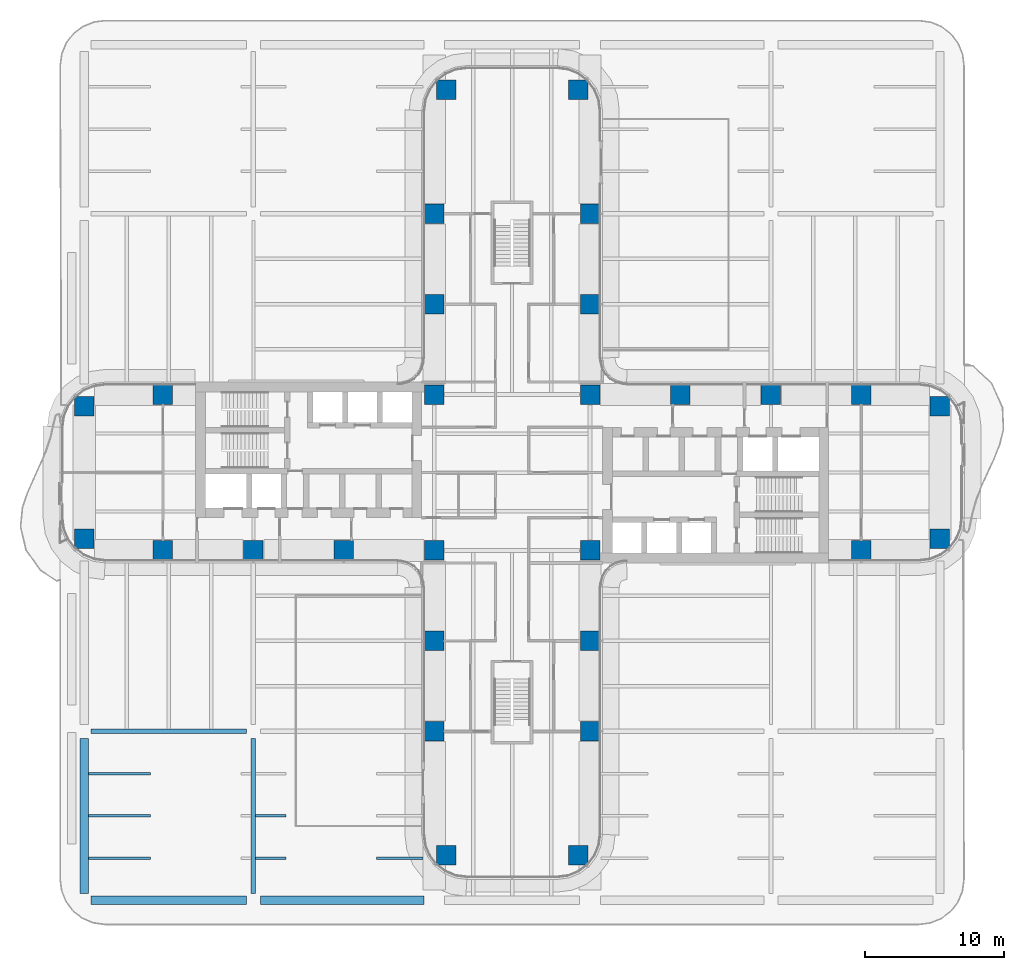
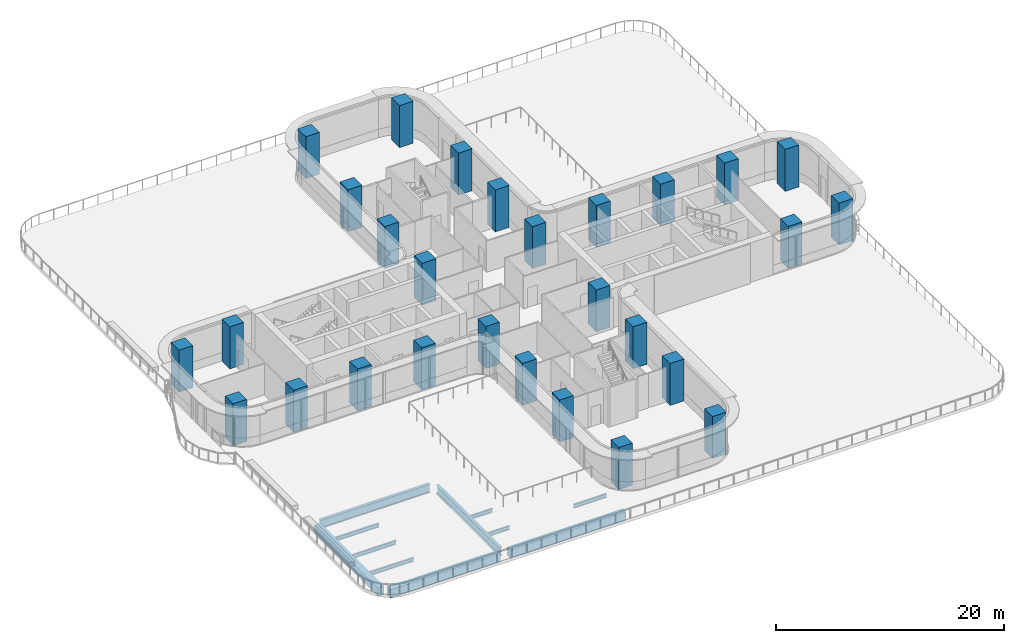
# One storey, part 1 of 29: 28 columns, 11 beams.
"""IFC4 building model written with IfcOpenShell, lengths in metres."""

from ifc_helpers import new_model, si_unit, direction, frame, origin, origin_2d, place, context, subcontext, project, spatial, rectangle, i_section, extrude, source, transform, mapped, material, material_profile, profile_set, type_object, element, save


model = new_model("IFC4")

# Units and contexts
model_context = context("Model", 3, precision=1e-05, world=origin(), true_north=direction((0.0, 1.0)))
body_context = subcontext(model_context, "Body", "Model", "MODEL_VIEW")
ifc_project = project(units=[si_unit("LENGTHUNIT", "METRE"), si_unit("AREAUNIT", "SQUARE_METRE"), si_unit("VOLUMEUNIT", "CUBIC_METRE"), si_unit("PLANEANGLEUNIT", "RADIAN"), si_unit("MASSUNIT", "GRAM", prefix="KILO")], contexts=[model_context])

# Site, building, storey
site_placement = place(None, origin())
site = spatial("IfcSite", under=ifc_project, at=site_placement, CompositionType="ELEMENT")
building_placement = place(site_placement, origin())
building = spatial("IfcBuilding", under=site, at=building_placement, Name="Trellis Farm Tower", CompositionType="ELEMENT")
storey_placement = place(building_placement, frame((0.0, 0.0, 34.0)))
storey = spatial("IfcBuildingStorey", under=building, at=storey_placement, Name="L06", CompositionType="ELEMENT", Elevation=34.0)

# Columns
ifc_material_1 = material(Name="Concrete C80/95", Category="concrete")
ifc_material_profile_1 = material_profile(ifc_material_1, rectangle(XDim=1.39990234375, YDim=1.39990234375, at=origin_2d()), Name="RC column 1400x1400 C80/95")
ifc_profile_set_1 = profile_set([ifc_material_profile_1], Name="Concrete C80/95")
column_type = type_object("IfcColumnType", Name="RC column 1400x1400 C80/95", PredefinedType="COLUMN", material=ifc_profile_set_1)
shared_shape_1 = source(origin(), body_context, "Body", "SweptSolid", [
    extrude(rectangle(XDim=1.39990234375, YDim=1.39990234375, at=origin_2d()), origin(), (0.0, 0.0, 1.0), 4.5),
])
for number, where, z_axis, x_axis, name in (
    (1, (12.10009765625, 5.60009765625, 0.0), (0.0, 0.0, 1.0), (1.0, 0.0, 0.0), "Column"),
    (2, (18.60009765625, 5.60009765625, 0.0), (0.0, 0.0, 1.0), (1.0, 0.0, 0.0), "Column"),
    (3, (25.10009765625, 5.60009765625, 0.0), (0.0, 0.0, 1.0), (1.0, 0.0, 0.0), "Column"),
    (4, (30.75, 4.75, 0.0), (0.0, 0.0, 1.0), (1.0, 0.0, 0.0), "Column"),
    (5, (25.10009765625, -5.60009765625, 0.0), (0.0, 0.0, 1.0), (1.0, 0.0, 0.0), "Column"),
    (6, (30.75, -4.75, 0.0), (0.0, 0.0, 1.0), (1.0, 0.0, 0.0), "Column"),
    (7, (-5.60009765625, 12.10009765625, 0.0), (0.0, 0.0, 1.0), (1.0, 0.0, 0.0), "Column"),
    (8, (-5.60009765625, 18.60009765625, 0.0), (0.0, 0.0, 1.0), (1.0, 0.0, 0.0), "Column"),
    (9, (-4.75, 27.5, 0.0), (0.0, 0.0, 1.0), (1.0, 0.0, 0.0), "Column"),
    (10, (5.60009765625, 12.10009765625, 0.0), (0.0, 0.0, 1.0), (1.0, 0.0, 0.0), "Column"),
    (11, (5.60009765625, 18.60009765625, 0.0), (0.0, 0.0, 1.0), (1.0, 0.0, 0.0), "Column"),
    (12, (4.75, 27.5, 0.0), (0.0, 0.0, 1.0), (1.0, 0.0, 0.0), "Column"),
    (13, (5.60009765625, 5.60009765625, 0.0), (0.0, 0.0, 1.0), (1.0, 0.0, 0.0), "Column"),
    (14, (-5.60009765625, 5.60009765625, 0.0), (0.0, 0.0, 1.0), (1.0, 0.0, 0.0), "Column"),
    (15, (5.60009765625, -5.60009765625, 0.0), (0.0, 0.0, 1.0), (1.0, 0.0, 0.0), "Column"),
    (16, (-5.60009765625, -5.60009765625, 0.0), (0.0, 0.0, 1.0), (1.0, 0.0, 0.0), "Column"),
    (17, (5.60009765625, -12.10009765625, 0.0), (0.0, 0.0, 1.0), (1.0, 0.0, 0.0), "Column"),
    (18, (5.60009765625, -18.60009765625, 0.0), (0.0, 0.0, 1.0), (1.0, 0.0, 0.0), "Column"),
    (19, (4.75, -27.5, 0.0), (0.0, 0.0, 1.0), (1.0, 0.0, 0.0), "Column"),
    (20, (-5.60009765625, -12.10009765625, 0.0), (0.0, 0.0, 1.0), (1.0, 0.0, 0.0), "Column"),
    (21, (-5.60009765625, -18.60009765625, 0.0), (0.0, 0.0, 1.0), (1.0, 0.0, 0.0), "Column"),
    (22, (-4.75, -27.5, 0.0), (0.0, 0.0, 1.0), (1.0, 0.0, 0.0), "Column"),
    (23, (-12.10009765625, -5.60009765625, 0.0), (0.0, 0.0, 1.0), (1.0, 0.0, 0.0), "Column"),
    (24, (-18.60009765625, -5.60009765625, 0.0), (0.0, 0.0, 1.0), (1.0, 0.0, 0.0), "Column"),
    (25, (-25.10009765625, -5.60009765625, 0.0), (0.0, 0.0, 1.0), (1.0, 0.0, 0.0), "Column"),
    (26, (-30.75, -4.75, 0.0), (0.0, 0.0, 1.0), (1.0, 0.0, 0.0), "Column"),
    (27, (-25.10009765625, 5.60009765625, 0.0), (0.0, 0.0, 1.0), (1.0, 0.0, 0.0), "Column"),
    (28, (-30.75, 4.75, 0.0), (0.0, 0.0, 1.0), (1.0, 0.0, 0.0), "Column"),
):
    element("IfcColumn", number, at=place(storey_placement, frame(where, z_axis=z_axis, x_axis=x_axis)), inside=storey, type_object=column_type, Name=name, PredefinedType="COLUMN", context=body_context, shape_type="MappedRepresentation", body=[
        mapped(shared_shape_1, transform((0.0, 0.0, 0.0))),
    ])

# Beams
ifc_material_2 = material(Name="Steel S355", Category="steel")
ifc_material_profile_2 = material_profile(ifc_material_2, i_section(OverallWidth=0.177978515625, OverallDepth=0.406494140625, WebThickness=0.0078125, FlangeThickness=0.0126953125, FilletRadius=0.01025390625, at=origin_2d()), Name="UB 406x178x60")
ifc_profile_set_2 = profile_set([ifc_material_profile_2], Name="Steel S355")
beam_type_1 = type_object("IfcBeamType", Name="UB 406x178x60 joist", PredefinedType="JOIST", material=ifc_profile_set_2)
shared_shape_2 = source(origin(), body_context, "Body", "SweptSolid", [
    extrude(i_section(OverallWidth=0.177978515625, OverallDepth=0.406494140625, WebThickness=0.0078125, FlangeThickness=0.0126953125, FilletRadius=0.01025390625, at=origin_2d()), origin(), (0.0, 0.0, 1.0), 2.197265625),
])
for number, where, z_axis, x_axis, name in (
    (29, (-18.447265625, -27.71240234375, -0.55322265625), (1.0, 0.0, 0.0), (0.0, 1.0, 0.0), "Floor beam"),
    (30, (-18.447265625, -24.675048828125, -0.55322265625), (1.0, 0.0, 0.0), (0.0, 1.0, 0.0), "Floor beam"),
):
    element("IfcBeam", number, at=place(storey_placement, frame(where, z_axis=z_axis, x_axis=x_axis)), inside=storey, type_object=beam_type_1, Name=name, PredefinedType="JOIST", context=body_context, shape_type="MappedRepresentation", body=[
        mapped(shared_shape_2, transform((0.0, 0.0, 0.0))),
    ])
ifc_material_profile_3 = material_profile(ifc_material_2, i_section(OverallWidth=0.305419921875, OverallDepth=0.91845703125, WebThickness=0.017333984375, FlangeThickness=0.02783203125, FilletRadius=0.01904296875, at=origin_2d()), Name="UB 914x305x253")
ifc_profile_set_3 = profile_set([ifc_material_profile_3], Name="Steel S355")
beam_type_2 = type_object("IfcBeamType", Name="UB 914x305x253", PredefinedType="BEAM", material=ifc_profile_set_3)
shared_shape_3 = source(origin(), body_context, "Body", "SweptSolid", [
    extrude(i_section(OverallWidth=0.305419921875, OverallDepth=0.91845703125, WebThickness=0.017333984375, FlangeThickness=0.02783203125, FilletRadius=0.01904296875, at=origin_2d()), origin(), (0.0, 0.0, 1.0), 11.14990234375),
])
for number, where, z_axis, x_axis, name in (
    (31, (-30.25, -18.60009765625, -0.80908203125), (1.0, 0.0, 0.0), (0.0, 1.0, 0.0), "Girder"),
    (32, (-18.60009765625, -30.25, -0.80908203125), (0.0, 1.0, 0.0), (-1.0, 0.0, 0.0), "Girder"),
):
    element("IfcBeam", number, at=place(storey_placement, frame(where, z_axis=z_axis, x_axis=x_axis)), inside=storey, type_object=beam_type_2, Name=name, PredefinedType="BEAM", context=body_context, shape_type="MappedRepresentation", body=[
        mapped(shared_shape_3, transform((0.0, 0.0, 0.0))),
    ])
ifc_material_3 = material(Name="Concrete C60/75", Category="concrete")
ifc_material_profile_4 = material_profile(ifc_material_3, rectangle(XDim=0.60009765625, YDim=0.89990234375, at=origin_2d()), Name="RC spandrel beam 600x900 C60/75")
ifc_profile_set_4 = profile_set([ifc_material_profile_4], Name="Concrete C60/75")
beam_type_3 = type_object("IfcBeamType", Name="RC spandrel beam 600x900 C60/75", PredefinedType="SPANDREL", material=ifc_profile_set_4)
shared_shape_4 = source(origin(), body_context, "Body", "SweptSolid", [
    extrude(rectangle(XDim=0.60009765625, YDim=0.89990234375, at=origin_2d()), origin(), (0.0, 0.0, 1.0), 11.75),
])
beam_1_placement = place(storey_placement, frame((-18.10009765625, -30.75, -0.800048828125), z_axis=(1.0, 0.0, 0.0), x_axis=(0.0, 1.0, 0.0)))
element("IfcBeam", 33, at=beam_1_placement, inside=storey, type_object=beam_type_3, Name="Girder", PredefinedType="SPANDREL", context=body_context, shape_type="MappedRepresentation", body=[
    mapped(shared_shape_4, transform((0.0, 0.0, 0.0))),
])
shared_shape_5 = source(origin(), body_context, "Body", "SweptSolid", [
    extrude(rectangle(XDim=0.60009765625, YDim=0.89990234375, at=origin_2d()), origin(), (0.0, 0.0, 1.0), 11.14990234375),
])
for number, where, z_axis, x_axis, name in (
    (34, (-30.25, -30.75, -0.800048828125), (1.0, 0.0, 0.0), (0.0, 1.0, 0.0), "Girder"),
    (35, (-30.75, -30.25, -0.800048828125), (0.0, 1.0, 0.0), (-1.0, 0.0, 0.0), "Girder"),
):
    element("IfcBeam", number, at=place(storey_placement, frame(where, z_axis=z_axis, x_axis=x_axis)), inside=storey, type_object=beam_type_3, Name=name, PredefinedType="SPANDREL", context=body_context, shape_type="MappedRepresentation", body=[
        mapped(shared_shape_5, transform((0.0, 0.0, 0.0))),
    ])
shared_shape_6 = source(origin(), body_context, "Body", "SweptSolid", [
    extrude(i_section(OverallWidth=0.177978515625, OverallDepth=0.406494140625, WebThickness=0.0078125, FlangeThickness=0.0126953125, FilletRadius=0.01025390625, at=origin_2d()), origin(), (0.0, 0.0, 1.0), 3.35009765625),
])
beam_2_placement = place(storey_placement, frame((-9.75, -27.71240234375, -0.55322265625), z_axis=(1.0, 0.0, 0.0), x_axis=(0.0, 1.0, 0.0)))
element("IfcBeam", 36, at=beam_2_placement, inside=storey, type_object=beam_type_1, Name="Floor beam", PredefinedType="JOIST", context=body_context, shape_type="MappedRepresentation", body=[
    mapped(shared_shape_6, transform((0.0, 0.0, 0.0))),
])
shared_shape_7 = source(origin(), body_context, "Body", "SweptSolid", [
    extrude(i_section(OverallWidth=0.177978515625, OverallDepth=0.406494140625, WebThickness=0.0078125, FlangeThickness=0.0126953125, FilletRadius=0.01025390625, at=origin_2d()), origin(), (0.0, 0.0, 1.0), 4.449951171875),
])
for number, where, z_axis, x_axis, name in (
    (37, (-30.449951171875, -27.71240234375, -0.55322265625), (1.0, 0.0, 0.0), (0.0, 1.0, 0.0), "Floor beam"),
    (38, (-30.449951171875, -24.675048828125, -0.55322265625), (1.0, 0.0, 0.0), (0.0, 1.0, 0.0), "Floor beam"),
    (39, (-30.449951171875, -21.637451171875, -0.55322265625), (1.0, 0.0, 0.0), (0.0, 1.0, 0.0), "Floor beam"),
):
    element("IfcBeam", number, at=place(storey_placement, frame(where, z_axis=z_axis, x_axis=x_axis)), inside=storey, type_object=beam_type_1, Name=name, PredefinedType="JOIST", context=body_context, shape_type="MappedRepresentation", body=[
        mapped(shared_shape_7, transform((0.0, 0.0, 0.0))),
    ])

save(model, "model.ifc")
